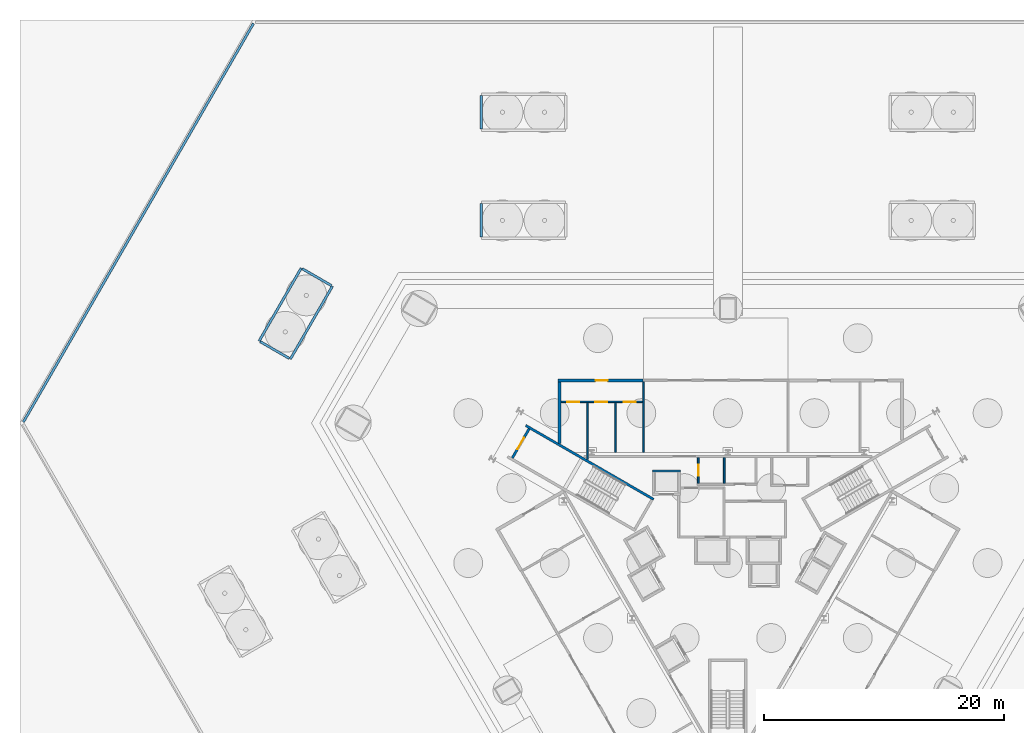
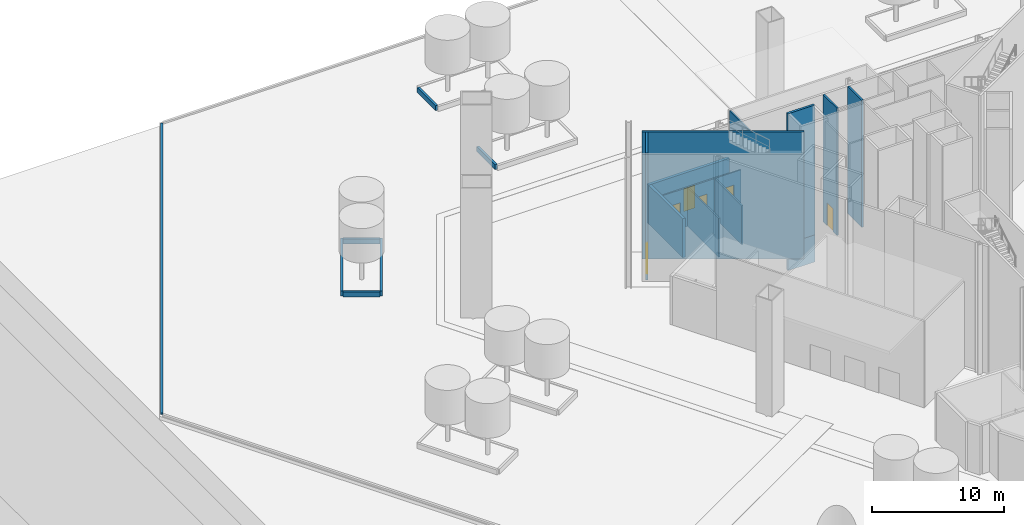
# One storey, part 9 of 22: 19 walls, 6 doors, 6 openings.
"""IFC4 building model written with IfcOpenShell, lengths in metres."""

from ifc_helpers import new_model, si_unit, direction, frame, frame_2d, origin, place, context, subcontext, project, spatial, rectangle, extrude, material, layer, layer_set, type_object, element, fill, save


model = new_model("IFC4")

# Units and contexts
model_context = context("Model", 3, precision=1e-05, world=origin(), true_north=direction((0.0, 1.0)))
body_context = subcontext(model_context, "Body", "Model", "MODEL_VIEW")
ifc_project = project(units=[si_unit("LENGTHUNIT", "METRE"), si_unit("AREAUNIT", "SQUARE_METRE"), si_unit("VOLUMEUNIT", "CUBIC_METRE"), si_unit("PLANEANGLEUNIT", "RADIAN"), si_unit("MASSUNIT", "GRAM", prefix="KILO")], contexts=[model_context])

# Site, building, storey
site_placement = place(None, origin())
site = spatial("IfcSite", under=ifc_project, at=site_placement, CompositionType="ELEMENT")
building_placement = place(site_placement, origin())
building = spatial("IfcBuilding", under=site, at=building_placement, Name="Verrane Prism Tower", CompositionType="ELEMENT")
storey_placement = place(building_placement, origin())
storey = spatial("IfcBuildingStorey", under=building, at=storey_placement, Name="L00", CompositionType="ELEMENT", Elevation=0.0)

# Wall, openings, doors
ifc_material_1 = material(Name="Concrete C25/30", Category="concrete")
ifc_layer_1 = layer(ifc_material_1, 0.125)
ifc_layer_set_1 = layer_set([ifc_layer_1], Name="CB-125 concrete block plumbing wall")
wall_type_1 = type_object("IfcWallType", Name="CB-125 concrete block plumbing wall", PredefinedType="SOLIDWALL", material=ifc_layer_set_1)
wall_1_placement = place(storey_placement, frame((-7.0625, 13.39990234375, 0.0), z_axis=(0.0, 0.0, 1.0), x_axis=(-1.0, 0.0, 0.0)))
wall_1 = element("IfcWall", 1, at=wall_1_placement, inside=storey, type_object=wall_type_1, Name="Plumbing wall 007", PredefinedType="SOLIDWALL", context=body_context, shape_type="SweptSolid", body=[
    extrude(rectangle(XDim=6.8125, YDim=0.125, at=frame_2d((3.40625, 0.0))), origin(), (0.0, 0.0, 1.0), 3.60009765625),
])
opening_1_placement = place(wall_1_placement, frame((5.28759765625, 0.0, 0.0)))
opening_1 = element("IfcOpeningElement", 2, at=opening_1_placement, cuts=wall_1, Name="Opening D00002", PredefinedType="OPENING", context=body_context, shape_type="SweptSolid", body=[
    extrude(rectangle(XDim=1.0, YDim=2.39990234375, at=frame_2d((0.5, 1.199951171875))), frame((0.0, 0.072509765625, 0.0), z_axis=(0.0, -1.0, 0.0), x_axis=(1.0, 0.0, 0.0)), (0.0, 0.0, 1.0), 0.14501953125),
])
opening_2_placement = place(wall_1_placement, frame((2.95751953125, 0.0, 0.0)))
opening_2 = element("IfcOpeningElement", 3, at=opening_2_placement, cuts=wall_1, Name="Opening D00003", PredefinedType="OPENING", context=body_context, shape_type="SweptSolid", body=[
    extrude(rectangle(XDim=1.0, YDim=2.39990234375, at=frame_2d((0.5, 1.199951171875))), frame((0.0, 0.072509765625, 0.0), z_axis=(0.0, -1.0, 0.0), x_axis=(1.0, 0.0, 0.0)), (0.0, 0.0, 1.0), 0.14501953125),
])
opening_3_placement = place(wall_1_placement, frame((0.617431640625, 0.0, 0.0)))
opening_3 = element("IfcOpeningElement", 4, at=opening_3_placement, cuts=wall_1, Name="Opening D00004", PredefinedType="OPENING", context=body_context, shape_type="SweptSolid", body=[
    extrude(rectangle(XDim=1.0, YDim=2.39990234375, at=frame_2d((0.5, 1.199951171875))), frame((0.0, 0.072509765625, 0.0), z_axis=(0.0, -1.0, 0.0), x_axis=(1.0, 0.0, 0.0)), (0.0, 0.0, 1.0), 0.14501953125),
])
ifc_material_2 = material(Name="Timber veneered door leaf", Category="wood")
door_type_1 = type_object("IfcDoorType", Name="DR-1000x2400 single leaf room", OperationType="NOTDEFINED", PredefinedType="DOOR", material=ifc_material_2)
door_1_placement = place(opening_1_placement, origin())
door_1 = element("IfcDoor", 5, at=door_1_placement, inside=storey, type_object=door_type_1, Name="Door Public Men's WC", OperationType="SINGLE_SWING_LEFT", OverallHeight=2.39990234375, OverallWidth=1.0, PredefinedType="DOOR", context=body_context, shape_type="SweptSolid", body=[
    extrude(rectangle(XDim=1.0, YDim=2.39990234375, at=frame_2d((0.5, 1.199951171875))), frame((0.0, 0.02490234375, 0.0), z_axis=(0.0, -1.0, 0.0), x_axis=(1.0, 0.0, 0.0)), (0.0, 0.0, 1.0), 0.050048828125),
])
fill(opening_1, door_1)
door_2_placement = place(opening_2_placement, origin())
door_2 = element("IfcDoor", 6, at=door_2_placement, inside=storey, type_object=door_type_1, Name="Door Public Women's WC", OperationType="SINGLE_SWING_RIGHT", OverallHeight=2.39990234375, OverallWidth=1.0, PredefinedType="DOOR", context=body_context, shape_type="SweptSolid", body=[
    extrude(rectangle(XDim=1.0, YDim=2.39990234375, at=frame_2d((0.5, 1.199951171875))), frame((0.0, 0.02490234375, 0.0), z_axis=(0.0, -1.0, 0.0), x_axis=(1.0, 0.0, 0.0)), (0.0, 0.0, 1.0), 0.050048828125),
])
fill(opening_2, door_2)
door_3_placement = place(opening_3_placement, origin())
door_3 = element("IfcDoor", 7, at=door_3_placement, inside=storey, type_object=door_type_1, Name="Door Accessible WC", OperationType="SINGLE_SWING_LEFT", OverallHeight=2.39990234375, OverallWidth=1.0, PredefinedType="DOOR", context=body_context, shape_type="SweptSolid", body=[
    extrude(rectangle(XDim=1.0, YDim=2.39990234375, at=frame_2d((0.5, 1.199951171875))), frame((0.0, 0.02490234375, 0.0), z_axis=(0.0, -1.0, 0.0), x_axis=(1.0, 0.0, 0.0)), (0.0, 0.0, 1.0), 0.050048828125),
])
fill(opening_3, door_3)

# Walls
wall_2_placement = place(storey_placement, frame((-11.669921875, 8.62109375, 0.0), z_axis=(0.0, 0.0, 1.0), x_axis=(0.0, 1.0, 0.0)))
element("IfcWall", 8, at=wall_2_placement, inside=storey, type_object=wall_type_1, Name="Plumbing wall 009", PredefinedType="SOLIDWALL", context=body_context, shape_type="SweptSolid", body=[
    extrude(rectangle(XDim=4.71630859375, YDim=0.125, at=frame_2d((2.358154296875, 0.0))), origin(), (0.0, 0.0, 1.0), 3.60009765625),
])
wall_3_placement = place(storey_placement, frame((-9.330078125, 9.199951171875, 0.0), z_axis=(0.0, 0.0, 1.0), x_axis=(0.0, 1.0, 0.0)))
element("IfcWall", 9, at=wall_3_placement, inside=storey, type_object=wall_type_1, Name="Plumbing wall 013", PredefinedType="SOLIDWALL", context=body_context, shape_type="SweptSolid", body=[
    extrude(rectangle(XDim=4.137451171875, YDim=0.125, at=frame_2d((2.06884765625, 0.0))), origin(), (0.0, 0.0, 1.0), 3.60009765625),
])
wall_4_placement = place(storey_placement, frame((-7.0, 9.199951171875, 0.0), z_axis=(0.0, 0.0, 1.0), x_axis=(0.0, 1.0, 0.0)))
element("IfcWall", 10, at=wall_4_placement, inside=storey, type_object=wall_type_1, Name="Plumbing wall 019", PredefinedType="SOLIDWALL", context=body_context, shape_type="SweptSolid", body=[
    extrude(rectangle(XDim=5.875, YDim=0.125, at=frame_2d((2.9375, 0.0))), origin(), (0.0, 0.0, 1.0), 8.0),
])

# Wall, opening, door
ifc_material_3 = material(Name="Concrete C40/50", Category="concrete")
ifc_layer_2 = layer(ifc_material_3, 0.199951171875)
ifc_layer_set_2 = layer_set([ifc_layer_2], Name="CW-200 stair core wall concrete C40/50 3 h")
wall_type_2 = type_object("IfcWallType", Name="CW-200 stair core wall concrete C40/50 3 h", PredefinedType="PARTITIONING", material=ifc_layer_set_2)
wall_5_placement = place(storey_placement, frame((-16.533935546875, 11.162353515625, 0.0), z_axis=(0.0, 0.0, 1.0), x_axis=(-0.49998411664, -0.866034573852, 0.0)))
wall_5 = element("IfcWall", 11, at=wall_5_placement, inside=storey, type_object=wall_type_2, Name="Stair 2 enclosure wall", PredefinedType="PARTITIONING", context=body_context, shape_type="SweptSolid", body=[
    extrude(rectangle(XDim=2.7998046875, YDim=0.199951171875, at=frame_2d((1.39990234375, 0.0))), origin(), (0.0, 0.0, 1.0), 11.75),
])
opening_4_placement = place(wall_5_placement, frame((0.849853515625, 0.0, 0.0)))
opening_4 = element("IfcOpeningElement", 12, at=opening_4_placement, cuts=wall_5, Name="Opening D00501", PredefinedType="OPENING", context=body_context, shape_type="SweptSolid", body=[
    extrude(rectangle(XDim=1.10009765625, YDim=2.10009765625, at=frame_2d((0.550048828125, 1.050048828125))), frame((0.0, 0.10986328125, 0.0), z_axis=(0.0, -1.0, 0.0), x_axis=(1.0, 0.0, 0.0)), (0.0, 0.0, 1.0), 0.219970703125),
])
ifc_material_4 = material(Name="Timber veneered door leaf", Category="wood")
door_type_2 = type_object("IfcDoorType", Name="DR-1100x2100 FD90 single leaf stair", OperationType="NOTDEFINED", PredefinedType="DOOR", material=ifc_material_4)
door_4_placement = place(opening_4_placement, frame((1.10009765625, 0.0, 0.0), z_axis=(0.0, 0.0, 1.0), x_axis=(-1.0, 0.0, 0.0)))
door_4 = element("IfcDoor", 13, at=door_4_placement, inside=storey, type_object=door_type_2, Name="Stair 2 door", OperationType="SINGLE_SWING_RIGHT", OverallHeight=2.10009765625, OverallWidth=1.10009765625, PredefinedType="DOOR", context=body_context, shape_type="SweptSolid", body=[
    extrude(rectangle(XDim=1.10009765625, YDim=2.10009765625, at=frame_2d((0.550048828125, 1.050048828125))), frame((0.0, 0.02490234375, 0.0), z_axis=(0.0, -1.0, 0.0), x_axis=(1.0, 0.0, 0.0)), (0.0, 0.0, 1.0), 0.050048828125),
])
fill(opening_4, door_4)

# Walls
wall_6_placement = place(storey_placement, frame((-6.17822265625, 5.299072265625, 0.0), z_axis=(0.0, 0.0, 1.0), x_axis=(-0.866028655551, 0.499994367733, 0.0)))
element("IfcWall", 14, at=wall_6_placement, inside=storey, type_object=wall_type_2, Name="Stair 2 enclosure wall", PredefinedType="PARTITIONING", context=body_context, shape_type="SweptSolid", body=[
    extrude(rectangle(XDim=12.280029296875, YDim=0.199951171875, at=frame_2d((6.14013671875, 0.0))), origin(), (0.0, 0.0, 1.0), 11.75),
])
ifc_material_5 = material(Name="Concrete C30/37", Category="concrete")
ifc_layer_3 = layer(ifc_material_5, 0.25)
ifc_layer_set_3 = layer_set([ifc_layer_3], Name="EW-250 service enclosure wall")
wall_type_3 = type_object("IfcWallType", Name="EW-250 service enclosure wall", PredefinedType="SOLIDWALL", material=ifc_layer_set_3)
wall_7_placement = place(storey_placement, frame((-14.0, 9.930908203125, 0.0), z_axis=(0.0, 0.0, 1.0), x_axis=(0.0, 1.0, 0.0)))
element("IfcWall", 15, at=wall_7_placement, inside=storey, type_object=wall_type_3, Name="Service room wall 006", PredefinedType="SOLIDWALL", context=body_context, shape_type="SweptSolid", body=[
    extrude(rectangle(XDim=5.14404296875, YDim=0.25, at=frame_2d((2.572021484375, 0.0))), origin(), (0.0, 0.0, 1.0), 3.60009765625),
])

# Wall, opening, door
wall_8_placement = place(storey_placement, frame((-7.0625, 15.199951171875, 0.0), z_axis=(0.0, 0.0, 1.0), x_axis=(-1.0, 0.0, 0.0)))
wall_8 = element("IfcWall", 16, at=wall_8_placement, inside=storey, type_object=wall_type_3, Name="Service room wall 008", PredefinedType="SOLIDWALL", context=body_context, shape_type="SweptSolid", body=[
    extrude(rectangle(XDim=7.0625, YDim=0.25, at=frame_2d((3.53125, 0.0))), origin(), (0.0, 0.0, 1.0), 3.60009765625),
])
opening_5_placement = place(wall_8_placement, frame((2.9375, 0.0, 0.0)))
opening_5 = element("IfcOpeningElement", 17, at=opening_5_placement, cuts=wall_8, Name="Opening D00001", PredefinedType="OPENING", context=body_context, shape_type="SweptSolid", body=[
    extrude(rectangle(XDim=1.0, YDim=2.10009765625, at=frame_2d((0.5, 1.050048828125))), frame((0.0, 0.135009765625, 0.0), z_axis=(0.0, -1.0, 0.0), x_axis=(1.0, 0.0, 0.0)), (0.0, 0.0, 1.0), 0.27001953125),
])
ifc_material_6 = material(Name="Aluminium and glass door leaf", Category="aluminium")
door_type_3 = type_object("IfcDoorType", Name="DR-1000x2100 single leaf exit", OperationType="NOTDEFINED", PredefinedType="DOOR", material=ifc_material_6)
door_5_placement = place(opening_5_placement, frame((1.0, 0.0, 0.0), z_axis=(0.0, 0.0, 1.0), x_axis=(-1.0, 0.0, 0.0)))
door_5 = element("IfcDoor", 18, at=door_5_placement, inside=storey, type_object=door_type_3, Name="Exit door Public WC Lobby", OperationType="SINGLE_SWING_RIGHT", OverallHeight=2.10009765625, OverallWidth=1.0, PredefinedType="DOOR", context=body_context, shape_type="SweptSolid", body=[
    extrude(rectangle(XDim=1.0, YDim=2.10009765625, at=frame_2d((0.5, 1.050048828125))), frame((0.0, 0.02490234375, 0.0), z_axis=(0.0, -1.0, 0.0), x_axis=(1.0, 0.0, 0.0)), (0.0, 0.0, 1.0), 0.050048828125),
])
fill(opening_5, door_5)

# Walls
ifc_material_7 = material(Name="Gypsum board shaft wall assembly", Category="other")
ifc_layer_4 = layer(ifc_material_7, 0.199951171875)
ifc_layer_set_4 = layer_set([ifc_layer_4], Name="HW-200 lift shaft wall 2 h")
wall_type_4 = type_object("IfcWallType", Name="HW-200 lift shaft wall 2 h", PredefinedType="PARTITIONING", material=ifc_layer_set_4)
wall_9_placement = place(storey_placement, frame((-6.284912109375, 7.659912109375, 0.0), z_axis=(0.0, 0.0, 1.0), x_axis=(1.0, 0.0, 0.0)))
element("IfcWall", 19, at=wall_9_placement, inside=storey, type_object=wall_type_4, Name="Lift shaft wall", PredefinedType="PARTITIONING", context=body_context, shape_type="SweptSolid", body=[
    extrude(rectangle(XDim=2.349853515625, YDim=0.199951171875, at=frame_2d((1.1748046875, 0.0))), origin(), (0.0, 0.0, 1.0), 12.0),
])
wall_10_placement = place(storey_placement, frame((-6.284912109375, 7.659912109375, -2.5), z_axis=(0.0, 0.0, 1.0), x_axis=(1.0, 0.0, 0.0)))
element("IfcWall", 20, at=wall_10_placement, inside=storey, type_object=wall_type_4, Name="Lift pit wall", PredefinedType="PARTITIONING", context=body_context, shape_type="SweptSolid", body=[
    extrude(rectangle(XDim=2.349853515625, YDim=0.199951171875, at=frame_2d((1.1748046875, 0.0))), origin(), (0.0, 0.0, 1.0), 2.5),
])
ifc_material_8 = material(Name="Granite kerb on concrete C25/30", Category="masonry")
ifc_layer_5 = layer(ifc_material_8, 0.199951171875)
ifc_layer_set_5 = layer_set([ifc_layer_5], Name="KB-200 granite kerb")
wall_type_5 = type_object("IfcWallType", Name="KB-200 granite kerb", PredefinedType="SOLIDWALL", material=ifc_layer_set_5)
wall_11_placement = place(storey_placement, frame((-39.45849609375, 44.88330078125, 0.0), z_axis=(0.0, 0.0, 1.0), x_axis=(-0.499998661669, -0.866026176469, 0.0)))
element("IfcWall", 21, at=wall_11_placement, inside=storey, type_object=wall_type_5, Name="Plaza kerb 2", PredefinedType="SOLIDWALL", context=body_context, shape_type="SweptSolid", body=[
    extrude(rectangle(XDim=38.28173828125, YDim=0.199951171875, at=frame_2d((19.140869140625, 0.0))), origin(), (0.0, 0.0, 1.0), 0.14990234375),
])
for number, where, z_axis, x_axis, name in (
    (22, (-20.5, 27.10009765625, 0.0), (0.0, 0.0, 1.0), (0.0, 1.0, 0.0), "Bed kerb 2.3"),
    (23, (-20.5, 36.10009765625, 0.0), (0.0, 0.0, 1.0), (0.0, 1.0, 0.0), "Bed kerb 4.3"),
):
    element("IfcWall", number, at=place(storey_placement, frame(where, z_axis=z_axis, x_axis=x_axis)), inside=storey, type_object=wall_type_5, Name=name, PredefinedType="SOLIDWALL", context=body_context, shape_type="SweptSolid", body=[
        extrude(rectangle(XDim=2.7998046875, YDim=0.199951171875, at=frame_2d((1.39990234375, 0.0))), origin(), (0.0, 0.0, 1.0), 0.449951171875),
    ])
for number, where, z_axis, x_axis, name in (
    (24, (-32.89111328125, 23.031005859375, 0.0), (0.0, 0.0, 1.0), (-0.500010275428, -0.866019471182, 0.0), "Bed kerb 14.1"),
    (25, (-38.989013671875, 18.468994140625, 0.0), (0.0, 0.0, 1.0), (0.500010275428, 0.866019471182, 0.0), "Bed kerb 14.2"),
):
    element("IfcWall", number, at=place(storey_placement, frame(where, z_axis=z_axis, x_axis=x_axis)), inside=storey, type_object=wall_type_5, Name=name, PredefinedType="SOLIDWALL", context=body_context, shape_type="SweptSolid", body=[
        extrude(rectangle(XDim=6.999755859375, YDim=0.199951171875, at=frame_2d((3.5, 0.0))), origin(), (0.0, 0.0, 1.0), 0.449951171875),
    ])
for number, where, z_axis, x_axis, name in (
    (26, (-36.4775390625, 17.018798828125, 0.0), (0.0, 0.0, 1.0), (-0.866018616679, 0.500011755427, 0.0), "Bed kerb 14.3"),
    (27, (-35.402587890625, 24.481201171875, 0.0), (0.0, 0.0, 1.0), (0.866018616679, -0.500011755427, 0.0), "Bed kerb 14.4"),
):
    element("IfcWall", number, at=place(storey_placement, frame(where, z_axis=z_axis, x_axis=x_axis)), inside=storey, type_object=wall_type_5, Name=name, PredefinedType="SOLIDWALL", context=body_context, shape_type="SweptSolid", body=[
        extrude(rectangle(XDim=2.80029296875, YDim=0.199951171875, at=frame_2d((1.400146484375, 0.0))), origin(), (0.0, 0.0, 1.0), 0.449951171875),
    ])

# Wall, opening, door
ifc_material_9 = material(Name="Gypsum board partition", Category="other")
ifc_layer_6 = layer(ifc_material_9, 0.14990234375)
ifc_layer_set_6 = layer_set([ifc_layer_6], Name="RS-150 riser enclosure wall 1 h")
wall_type_6 = type_object("IfcWallType", Name="RS-150 riser enclosure wall 1 h", PredefinedType="PARTITIONING", material=ifc_layer_set_6)
wall_12_placement = place(storey_placement, frame((-2.4599609375, 8.760009765625, 0.0), z_axis=(0.0, 0.0, 1.0), x_axis=(0.0, -1.0, 0.0)))
wall_12 = element("IfcWall", 28, at=wall_12_placement, inside=storey, type_object=wall_type_6, Name="Riser wall RS3-001", PredefinedType="PARTITIONING", context=body_context, shape_type="SweptSolid", body=[
    extrude(rectangle(XDim=2.125, YDim=0.14990234375, at=frame_2d((1.0625, 0.0))), origin(), (0.0, 0.0, 1.0), 11.75),
])
opening_6_placement = place(wall_12_placement, frame((0.60009765625, 0.0, 0.0)))
opening_6 = element("IfcOpeningElement", 29, at=opening_6_placement, cuts=wall_12, Name="Opening D00516", PredefinedType="OPENING", context=body_context, shape_type="SweptSolid", body=[
    extrude(rectangle(XDim=0.89990234375, YDim=2.10009765625, at=frame_2d((0.449951171875, 1.050048828125))), frame((0.0, 0.0849609375, 0.0), z_axis=(0.0, -1.0, 0.0), x_axis=(1.0, 0.0, 0.0)), (0.0, 0.0, 1.0), 0.169921875),
])
ifc_material_10 = material(Name="Timber veneered door leaf", Category="wood")
door_type_4 = type_object("IfcDoorType", Name="DR-900x2100 FD60 single leaf riser", OperationType="NOTDEFINED", PredefinedType="DOOR", material=ifc_material_10)
door_6_placement = place(opening_6_placement, origin())
door_6 = element("IfcDoor", 30, at=door_6_placement, inside=storey, type_object=door_type_4, Name="Riser door D00516", OperationType="SINGLE_SWING_RIGHT", OverallHeight=2.10009765625, OverallWidth=0.89990234375, PredefinedType="DOOR", context=body_context, shape_type="SweptSolid", body=[
    extrude(rectangle(XDim=0.89990234375, YDim=2.10009765625, at=frame_2d((0.449951171875, 1.050048828125))), frame((0.0, 0.02490234375, 0.0), z_axis=(0.0, -1.0, 0.0), x_axis=(1.0, 0.0, 0.0)), (0.0, 0.0, 1.0), 0.050048828125),
])
fill(opening_6, door_6)

# Wall
wall_13_placement = place(storey_placement, frame((-0.300048828125, 6.635009765625, 0.0), z_axis=(0.0, 0.0, 1.0), x_axis=(0.0, 1.0, 0.0)))
element("IfcWall", 31, at=wall_13_placement, inside=storey, type_object=wall_type_6, Name="Riser wall RS3-003", PredefinedType="PARTITIONING", context=body_context, shape_type="SweptSolid", body=[
    extrude(rectangle(XDim=2.125, YDim=0.14990234375, at=frame_2d((1.0625, 0.0))), origin(), (0.0, 0.0, 1.0), 11.75),
])

save(model, "model.ifc")
